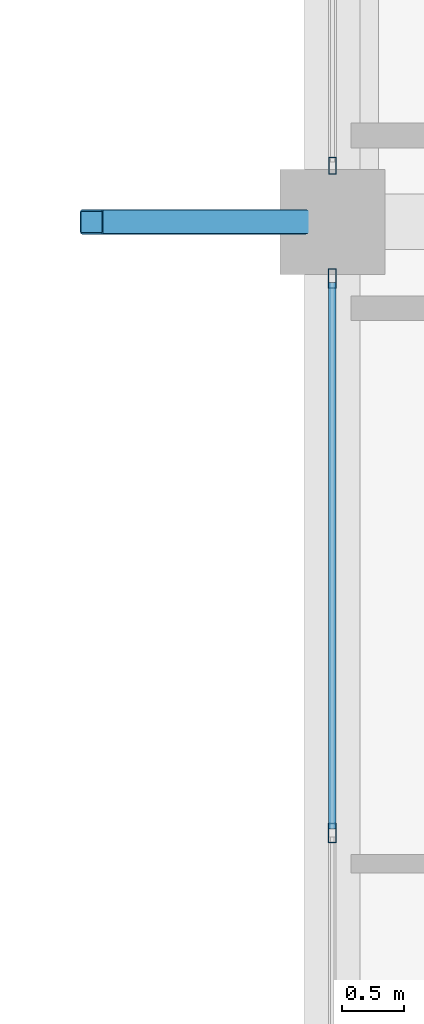
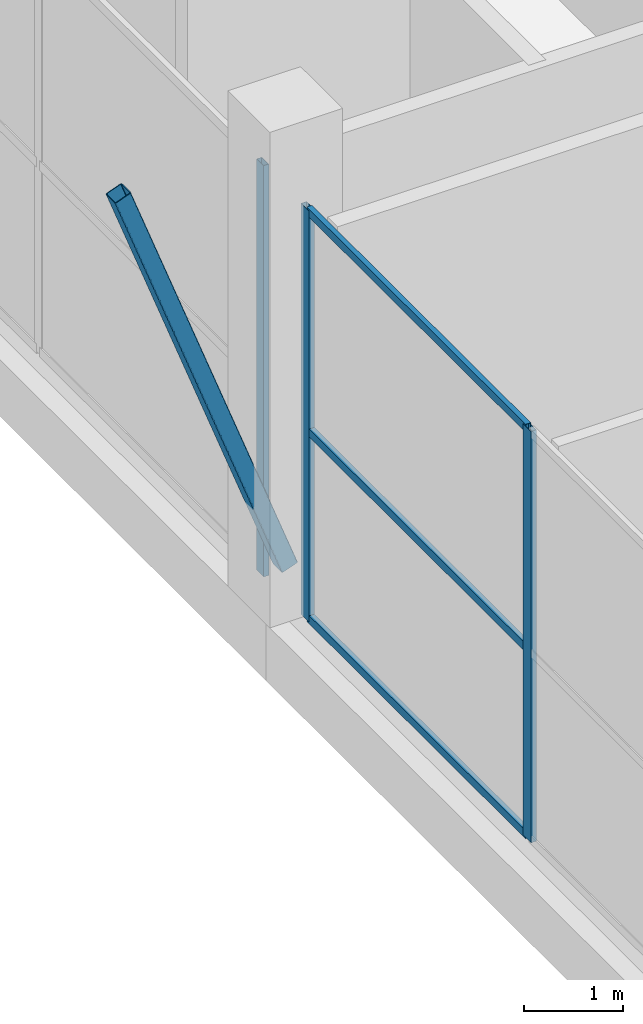
# One storey, part 14 of 46: 7 members, 2 elements without a shape of their own.
"""IFC4 building model written with IfcOpenShell, lengths in metres."""

from ifc_helpers import new_model, si_unit, direction, frame, origin, origin_2d, place, context, subcontext, project, spatial, hollow_rectangle, extrude, material, layer, layer_set, material_profile, profile_set, type_object, element, aggregate, save


model = new_model("IFC4")

# Units and contexts
model_context = context("Model", 3, precision=1e-05, world=origin(), true_north=direction((0.0, 1.0)))
body_context = subcontext(model_context, "Body", "Model", "MODEL_VIEW")
ifc_project = project(units=[si_unit("LENGTHUNIT", "METRE"), si_unit("AREAUNIT", "SQUARE_METRE"), si_unit("VOLUMEUNIT", "CUBIC_METRE"), si_unit("PLANEANGLEUNIT", "RADIAN"), si_unit("MASSUNIT", "GRAM", prefix="KILO")], contexts=[model_context])

# Site, building, storey
site_placement = place(None, origin())
site = spatial("IfcSite", under=ifc_project, at=site_placement, CompositionType="ELEMENT")
building_placement = place(site_placement, origin())
building = spatial("IfcBuilding", under=site, at=building_placement, Name="Sillaruma Civic Art Gallery", CompositionType="ELEMENT")
storey_placement = place(building_placement, frame((0.0, 0.0, 16.320068359375)))
storey = spatial("IfcBuildingStorey", under=building, at=storey_placement, Name="L03", CompositionType="ELEMENT", Elevation=16.320068359375)

# Curtain wall, member
ifc_material_1 = material(Name="Thermally Broken Extruded Aluminium 6063-T6", Category="aluminium")
ifc_layer_1 = layer(ifc_material_1, 0.139892578125, Name="Thermally Broken Extruded Aluminium 6063-T6")
ifc_layer_set_1 = layer_set([ifc_layer_1], Name="Thermally Broken Extruded Aluminium 6063-T6")
curtain_wall_type_1 = type_object("IfcCurtainWallType", Name="CW-UNI-20", PredefinedType="NOTDEFINED", material=ifc_layer_set_1)
curtain_wall_1_placement = place(storey_placement, origin())
curtain_wall_1 = element("IfcCurtainWall", 1, at=curtain_wall_1_placement, inside=storey, type_object=curtain_wall_type_1, Name="Unitised Curtain Wall CW-20 (CW-L03-W-6)", PredefinedType="NOTDEFINED")
ifc_material_profile_1 = material_profile(ifc_material_1, hollow_rectangle(XDim=0.06005859375, YDim=0.139892578125, WallThickness=0.00341796875, at=origin_2d()), Name="CWM60x140")
ifc_profile_set_1 = profile_set([ifc_material_profile_1], Name="Thermally Broken Extruded Aluminium 6063-T6")
member_type_1 = type_object("IfcMemberType", Name="MEM-MUL-CWM60x140", PredefinedType="MULLION", material=ifc_profile_set_1)
member_1_placement = place(storey_placement, frame((62.0, 69.7548828125, 0.0), z_axis=(0.0, 0.0, 1.0), x_axis=(-1.0, 0.0, 0.0)))
member_1 = element("IfcMember", 2, at=member_1_placement, type_object=member_type_1, Name="CW-20 mullion 1", PredefinedType="MULLION", context=body_context, shape_type="SweptSolid", body=[
    extrude(hollow_rectangle(XDim=0.06005859375, YDim=0.139892578125, WallThickness=0.00341796875, at=origin_2d()), origin(), (0.0, 0.0, 1.0), 5.079833984375),
])
aggregate(curtain_wall_1, [member_1])

# Curtain wall, members
ifc_layer_2 = layer(ifc_material_1, 0.159912109375, Name="Thermally Broken Extruded Aluminium 6063-T6")
ifc_layer_set_2 = layer_set([ifc_layer_2], Name="Thermally Broken Extruded Aluminium 6063-T6")
curtain_wall_type_2 = type_object("IfcCurtainWallType", Name="CW-UNI-23", PredefinedType="NOTDEFINED", material=ifc_layer_set_2)
curtain_wall_2_placement = place(storey_placement, origin())
curtain_wall_2 = element("IfcCurtainWall", 3, at=curtain_wall_2_placement, inside=storey, type_object=curtain_wall_type_2, Name="Unitised Curtain Wall CW-23 (CW-L03-W-5)", PredefinedType="NOTDEFINED")
ifc_material_profile_2 = material_profile(ifc_material_1, hollow_rectangle(XDim=0.06494140625, YDim=0.159912109375, WallThickness=0.00390625, at=origin_2d()), Name="CWM65x160")
ifc_profile_set_2 = profile_set([ifc_material_profile_2], Name="Thermally Broken Extruded Aluminium 6063-T6")
member_type_2 = type_object("IfcMemberType", Name="MEM-MUL-CWM65x160", PredefinedType="MULLION", material=ifc_profile_set_2)
member_2_placement = place(storey_placement, frame((62.0, 64.35009765625, 0.0), z_axis=(0.0, 0.0, 1.0), x_axis=(-1.0, 0.0, 0.0)))
member_2 = element("IfcMember", 4, at=member_2_placement, type_object=member_type_2, Name="CW-23 mullion 2", PredefinedType="MULLION", context=body_context, shape_type="SweptSolid", body=[
    extrude(hollow_rectangle(XDim=0.06494140625, YDim=0.159912109375, WallThickness=0.00390625, at=origin_2d()), origin(), (0.0, 0.0, 1.0), 5.079833984375),
])
member_3_placement = place(storey_placement, frame((62.0, 68.842529296875, 0.0), z_axis=(0.0, 0.0, 1.0), x_axis=(-1.0, 0.0, 0.0)))
member_3 = element("IfcMember", 5, at=member_3_placement, type_object=member_type_2, Name="CW-23 mullion 3", PredefinedType="MULLION", context=body_context, shape_type="SweptSolid", body=[
    extrude(hollow_rectangle(XDim=0.06494140625, YDim=0.159912109375, WallThickness=0.00390625, at=origin_2d()), origin(), (0.0, 0.0, 1.0), 5.079833984375),
])

# Member
ifc_material_2 = material(Name="Structural Steel ASTM A500 Gr.C", Category="steel")
ifc_material_profile_3 = material_profile(ifc_material_2, hollow_rectangle(XDim=0.199951171875, YDim=0.199951171875, WallThickness=0.010009765625, InnerFilletRadius=0.010009765625, OuterFilletRadius=0.02001953125, at=origin_2d()), Name="HSS200x200x10")
ifc_profile_set_3 = profile_set([ifc_material_profile_3], Name="Structural Steel ASTM A500 Gr.C")
member_type_3 = type_object("IfcMemberType", Name="MEM-PROW-BRACE", PredefinedType="BRACE", material=ifc_profile_set_3)
member_4_placement = place(storey_placement, frame((62.0, 69.300048828125, 0.39990234375), z_axis=(-0.348492157154, 0.0, 0.937311696504), x_axis=(0.0, -1.0, 0.0)))
element("IfcMember", 6, at=member_4_placement, inside=storey, type_object=member_type_3, Name="Deconstructivist Prow Diagonal Brace (PRW-L04-W-FLR-N)", PredefinedType="BRACE", context=body_context, shape_type="SweptSolid", body=[
    extrude(hollow_rectangle(XDim=0.199951171875, YDim=0.199951171875, WallThickness=0.010009765625, InnerFilletRadius=0.010009765625, OuterFilletRadius=0.02001953125, at=origin_2d()), origin(), (0.0, 0.0, 1.0), 5.595458984375),
])

ifc_material_profile_4 = material_profile(ifc_material_1, hollow_rectangle(XDim=0.06005859375, YDim=0.10009765625, WallThickness=0.003173828125, at=origin_2d()), Name="CWT60x100")
ifc_profile_set_4 = profile_set([ifc_material_profile_4], Name="Thermally Broken Extruded Aluminium 6063-T6")
member_type_4 = type_object("IfcMemberType", Name="MEM-TRN-CWT60x100", PredefinedType="USERDEFINED", material=ifc_profile_set_4)
member_5_placement = place(storey_placement, frame((62.0, 64.382568359375, 0.030029296875), z_axis=(0.0, 1.0, 0.0), x_axis=(-1.0, 0.0, 0.0)))
member_5 = element("IfcMember", 7, at=member_5_placement, type_object=member_type_4, Name="CW-23 transom 2.1", ObjectType="TRANSOM", PredefinedType="USERDEFINED", context=body_context, shape_type="SweptSolid", body=[
    extrude(hollow_rectangle(XDim=0.06005859375, YDim=0.10009765625, WallThickness=0.003173828125, at=origin_2d()), origin(), (0.0, 0.0, 1.0), 4.427490234375),
])

member_6_placement = place(storey_placement, frame((62.0, 64.382568359375, 2.336669921875), z_axis=(0.0, 1.0, 0.0), x_axis=(-1.0, 0.0, 0.0)))
member_6 = element("IfcMember", 8, at=member_6_placement, type_object=member_type_4, Name="CW-23 transom 2.2", ObjectType="TRANSOM", PredefinedType="USERDEFINED", context=body_context, shape_type="SweptSolid", body=[
    extrude(hollow_rectangle(XDim=0.06005859375, YDim=0.10009765625, WallThickness=0.003173828125, at=origin_2d()), origin(), (0.0, 0.0, 1.0), 4.427490234375),
])

member_7_placement = place(storey_placement, frame((62.0, 64.382568359375, 5.050048828125), z_axis=(0.0, 1.0, 0.0), x_axis=(-1.0, 0.0, 0.0)))
member_7 = element("IfcMember", 9, at=member_7_placement, type_object=member_type_4, Name="CW-23 transom 2.3", ObjectType="TRANSOM", PredefinedType="USERDEFINED", context=body_context, shape_type="SweptSolid", body=[
    extrude(hollow_rectangle(XDim=0.06005859375, YDim=0.10009765625, WallThickness=0.003173828125, at=origin_2d()), origin(), (0.0, 0.0, 1.0), 4.427490234375),
])

aggregate(curtain_wall_2, [member_2, member_3, member_5, member_6, member_7])

save(model, "model.ifc")
